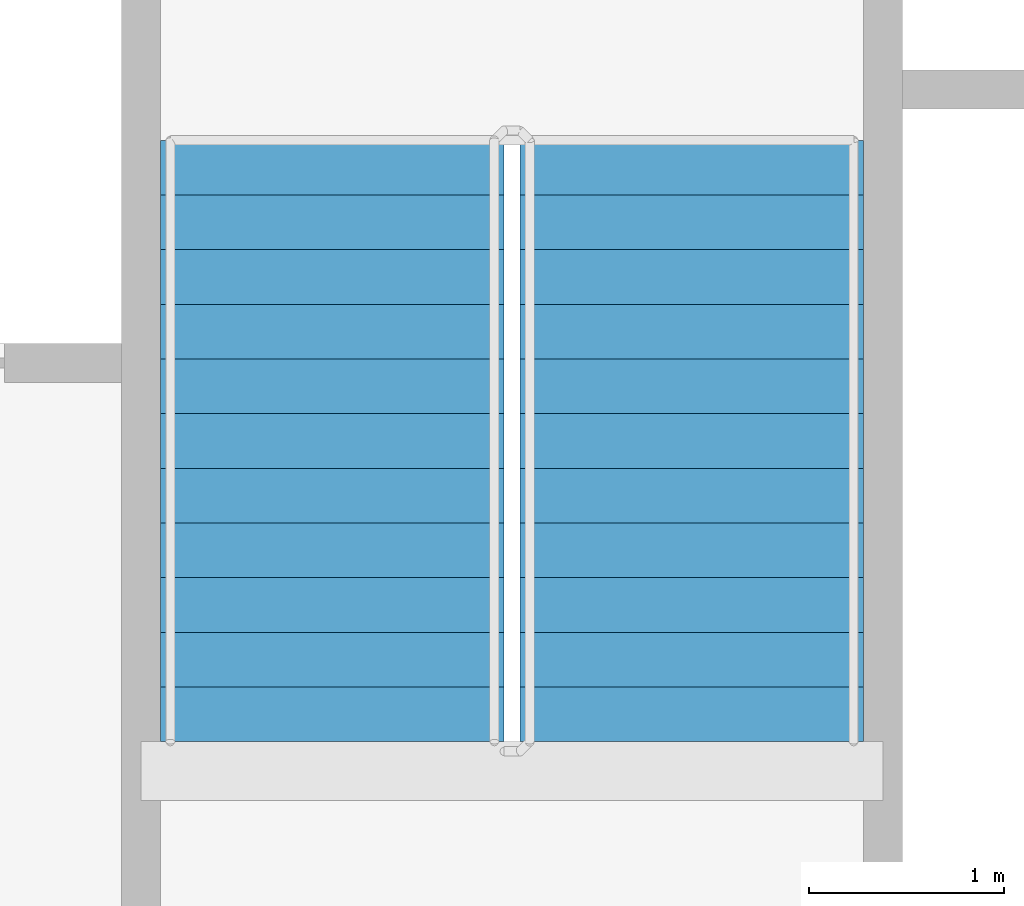
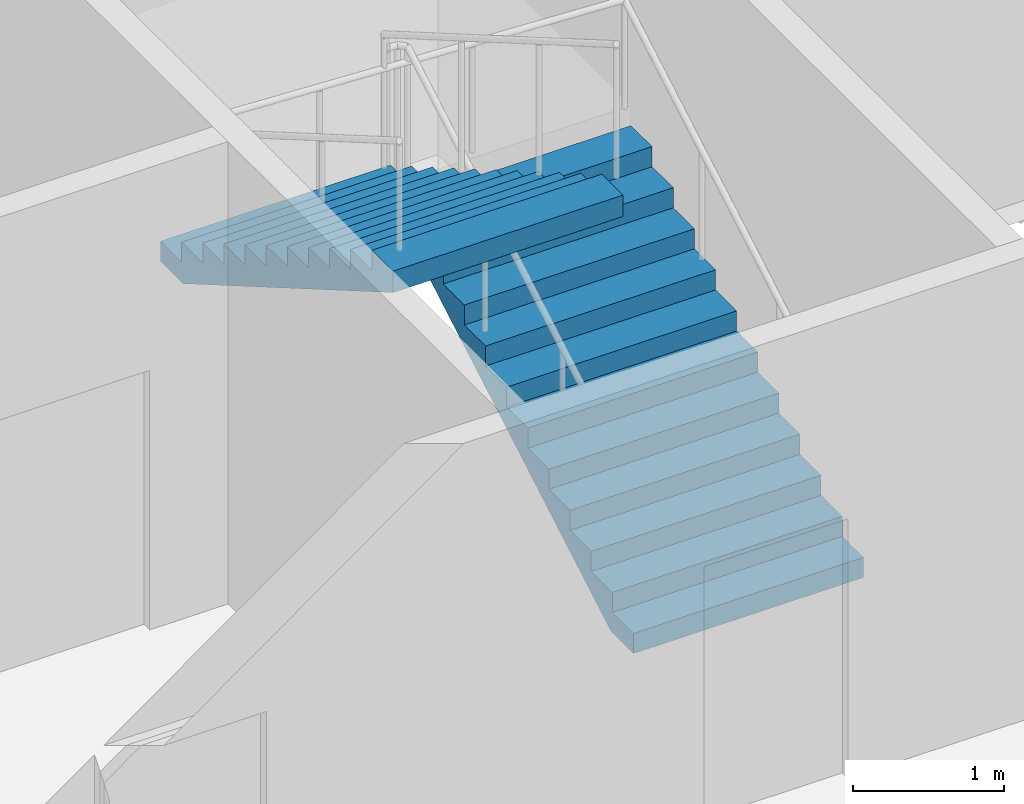
# One storey, part 15 of 20: 2 stair flights, 1 element without a shape of its own.
"""IFC4 building model written with IfcOpenShell, lengths in metres."""

from ifc_helpers import new_model, si_unit, direction, frame, origin, place, context, subcontext, project, spatial, faceted_brep, material, type_object, element, aggregate, save


model = new_model("IFC4")

# Units and contexts
model_context = context("Model", 3, precision=1e-05, world=origin(), true_north=direction((0.0, 1.0)))
body_context = subcontext(model_context, "Body", "Model", "MODEL_VIEW")
ifc_project = project(units=[si_unit("LENGTHUNIT", "METRE"), si_unit("AREAUNIT", "SQUARE_METRE"), si_unit("VOLUMEUNIT", "CUBIC_METRE"), si_unit("PLANEANGLEUNIT", "RADIAN"), si_unit("MASSUNIT", "GRAM", prefix="KILO")], contexts=[model_context])

# Site, building, storey
site_placement = place(None, origin())
site = spatial("IfcSite", under=ifc_project, at=site_placement, CompositionType="ELEMENT")
building_placement = place(site_placement, origin())
building = spatial("IfcBuilding", under=site, at=building_placement, Name="Tarsis Ring Headquarters", CompositionType="ELEMENT")
storey_placement = place(building_placement, frame((0.0, 0.0, 315.800048828125)))
storey = spatial("IfcBuildingStorey", under=building, at=storey_placement, Name="L74", CompositionType="ELEMENT", Elevation=315.800048828125)

# Stair, stair flights
ifc_material_1 = material(Name="Core stair 1760")
stair_type = type_object("IfcStairType", Name="Core stair 1760", PredefinedType="HALF_TURN_STAIR", material=ifc_material_1)
stair_placement = place(storey_placement, origin())
stair = element("IfcStair", 1, at=stair_placement, inside=storey, type_object=stair_type, Name="L74 Exit stair B", PredefinedType="HALF_TURN_STAIR")
ifc_material_2 = material(Name="Concrete C40/50", Category="concrete")
stair_flight_type = type_object("IfcStairFlightType", Name="Core stair flight 1760", PredefinedType="STRAIGHT", material=ifc_material_2)
stair_flight_1_placement = place(storey_placement, frame((5.419921875, 3.659912109375, 0.0), z_axis=(0.0, 0.0, 1.0), x_axis=(0.0, 1.0, 0.0)))
stair_flight_1 = element("IfcStairFlight", 2, at=stair_flight_1_placement, type_object=stair_flight_type, Name="Stair ST2 flight 1", NumberOfRisers=12, NumberOfTreads=11, PredefinedType="STRAIGHT", RiserHeight=0.1625, TreadLength=0.28, context=body_context, shape_type="Brep", body=[
    faceted_brep([(0.0, 0.8798828125, 0.0), (0.0, 0.8798828125, 0.16259765625), (0.280029296875, 0.8798828125, 0.16259765625), (0.280029296875, 0.8798828125, 0.324951171875), (0.56005859375, 0.8798828125, 0.324951171875), (0.56005859375, 0.8798828125, 0.487548828125), (0.840087890625, 0.8798828125, 0.487548828125), (0.840087890625, 0.8798828125, 0.64990234375), (1.1201171875, 0.8798828125, 0.64990234375), (1.1201171875, 0.8798828125, 0.8125), (1.39990234375, 0.8798828125, 0.8125), (1.39990234375, 0.8798828125, 0.97509765625), (1.679931640625, 0.8798828125, 0.97509765625), (1.679931640625, 0.8798828125, 1.137451171875), (1.9599609375, 0.8798828125, 1.137451171875), (1.9599609375, 0.8798828125, 1.300048828125), (2.239990234375, 0.8798828125, 1.300048828125), (2.239990234375, 0.8798828125, 1.46240234375), (2.52001953125, 0.8798828125, 1.46240234375), (2.52001953125, 0.8798828125, 1.625), (2.800048828125, 0.8798828125, 1.625), (2.800048828125, 0.8798828125, 1.78759765625), (3.080078125, 0.8798828125, 1.78759765625), (3.080078125, 0.8798828125, 1.6142578125), (0.298583984375, 0.8798828125, 0.0), (0.298583984375, -0.8798828125, 0.0), (3.080078125, -0.8798828125, 1.6142578125), (3.080078125, -0.8798828125, 1.78759765625), (2.800048828125, -0.8798828125, 1.78759765625), (2.800048828125, -0.8798828125, 1.625), (2.52001953125, -0.8798828125, 1.625), (2.52001953125, -0.8798828125, 1.46240234375), (2.239990234375, -0.8798828125, 1.46240234375), (2.239990234375, -0.8798828125, 1.300048828125), (1.9599609375, -0.8798828125, 1.300048828125), (1.9599609375, -0.8798828125, 1.137451171875), (1.679931640625, -0.8798828125, 1.137451171875), (1.679931640625, -0.8798828125, 0.97509765625), (1.39990234375, -0.8798828125, 0.97509765625), (1.39990234375, -0.8798828125, 0.8125), (1.1201171875, -0.8798828125, 0.8125), (1.1201171875, -0.8798828125, 0.64990234375), (0.840087890625, -0.8798828125, 0.64990234375), (0.840087890625, -0.8798828125, 0.487548828125), (0.56005859375, -0.8798828125, 0.487548828125), (0.56005859375, -0.8798828125, 0.324951171875), (0.280029296875, -0.8798828125, 0.324951171875), (0.280029296875, -0.8798828125, 0.16259765625), (0.0, -0.8798828125, 0.16259765625), (0.0, -0.8798828125, 0.0), (0.0, -0.43994140625, 0.16259765625), (0.0, -0.43994140625, 0.0), (0.0, 0.0, 0.16259765625), (0.0, 0.0, 0.0), (0.0, 0.43994140625, 0.16259765625), (0.0, 0.43994140625, 0.0), (0.280029296875, -0.43994140625, 0.16259765625), (0.280029296875, 0.0, 0.16259765625), (0.280029296875, 0.43994140625, 0.16259765625), (0.280029296875, -0.43994140625, 0.324951171875), (0.280029296875, 0.0, 0.324951171875), (0.280029296875, 0.43994140625, 0.324951171875), (0.56005859375, -0.43994140625, 0.324951171875), (0.56005859375, 0.0, 0.324951171875), (0.56005859375, 0.43994140625, 0.324951171875), (0.56005859375, -0.43994140625, 0.487548828125), (0.56005859375, 0.0, 0.487548828125), (0.56005859375, 0.43994140625, 0.487548828125), (0.840087890625, -0.43994140625, 0.487548828125), (0.840087890625, 0.0, 0.487548828125), (0.840087890625, 0.43994140625, 0.487548828125), (0.840087890625, -0.43994140625, 0.64990234375), (0.840087890625, 0.0, 0.64990234375), (0.840087890625, 0.43994140625, 0.64990234375), (1.1201171875, -0.43994140625, 0.64990234375), (1.1201171875, 0.0, 0.64990234375), (1.1201171875, 0.43994140625, 0.64990234375), (1.1201171875, -0.43994140625, 0.8125), (1.1201171875, 0.0, 0.8125), (1.1201171875, 0.43994140625, 0.8125), (1.39990234375, -0.43994140625, 0.8125), (1.39990234375, 0.0, 0.8125), (1.39990234375, 0.43994140625, 0.8125), (1.39990234375, -0.43994140625, 0.97509765625), (1.39990234375, 0.0, 0.97509765625), (1.39990234375, 0.43994140625, 0.97509765625), (1.679931640625, -0.43994140625, 0.97509765625), (1.679931640625, 0.0, 0.97509765625), (1.679931640625, 0.43994140625, 0.97509765625), (1.679931640625, -0.43994140625, 1.137451171875), (1.679931640625, 0.0, 1.137451171875), (1.679931640625, 0.43994140625, 1.137451171875), (1.9599609375, -0.43994140625, 1.137451171875), (1.9599609375, 0.0, 1.137451171875), (1.9599609375, 0.43994140625, 1.137451171875), (1.9599609375, -0.43994140625, 1.300048828125), (1.9599609375, 0.0, 1.300048828125), (1.9599609375, 0.43994140625, 1.300048828125), (2.239990234375, -0.43994140625, 1.300048828125), (2.239990234375, 0.0, 1.300048828125), (2.239990234375, 0.43994140625, 1.300048828125), (2.239990234375, -0.43994140625, 1.46240234375), (2.239990234375, 0.0, 1.46240234375), (2.239990234375, 0.43994140625, 1.46240234375), (2.52001953125, -0.43994140625, 1.46240234375), (2.52001953125, 0.0, 1.46240234375), (2.52001953125, 0.43994140625, 1.46240234375), (2.52001953125, -0.43994140625, 1.625), (2.52001953125, 0.0, 1.625), (2.52001953125, 0.43994140625, 1.625), (2.800048828125, -0.43994140625, 1.625), (2.800048828125, 0.0, 1.625), (2.800048828125, 0.43994140625, 1.625), (2.800048828125, -0.43994140625, 1.78759765625), (2.800048828125, 0.0, 1.78759765625), (2.800048828125, 0.43994140625, 1.78759765625), (3.080078125, -0.43994140625, 1.78759765625), (3.080078125, 0.0, 1.78759765625), (3.080078125, 0.43994140625, 1.78759765625), (3.080078125, -0.43994140625, 1.6142578125), (3.080078125, 0.0, 1.6142578125), (3.080078125, 0.43994140625, 1.6142578125), (0.298583984375, -0.43994140625, 0.0), (0.298583984375, 0.0, 0.0), (0.298583984375, 0.43994140625, 0.0)], [[[0, 1, 2, 3, 4, 5, 6, 7, 8, 9, 10, 11, 12, 13, 14, 15, 16, 17, 18, 19, 20, 21, 22, 23, 24]], [[25, 26, 27, 28, 29, 30, 31, 32, 33, 34, 35, 36, 37, 38, 39, 40, 41, 42, 43, 44, 45, 46, 47, 48, 49]], [[49, 48, 50, 51]], [[51, 50, 52, 53]], [[53, 52, 54, 55]], [[55, 54, 1, 0]], [[48, 47, 56, 50]], [[50, 56, 57, 52]], [[52, 57, 58, 54]], [[54, 58, 2, 1]], [[47, 46, 59, 56]], [[56, 59, 60, 57]], [[57, 60, 61, 58]], [[58, 61, 3, 2]], [[46, 45, 62, 59]], [[59, 62, 63, 60]], [[60, 63, 64, 61]], [[61, 64, 4, 3]], [[45, 44, 65, 62]], [[62, 65, 66, 63]], [[63, 66, 67, 64]], [[64, 67, 5, 4]], [[44, 43, 68, 65]], [[65, 68, 69, 66]], [[66, 69, 70, 67]], [[67, 70, 6, 5]], [[43, 42, 71, 68]], [[68, 71, 72, 69]], [[69, 72, 73, 70]], [[70, 73, 7, 6]], [[42, 41, 74, 71]], [[71, 74, 75, 72]], [[72, 75, 76, 73]], [[73, 76, 8, 7]], [[41, 40, 77, 74]], [[74, 77, 78, 75]], [[75, 78, 79, 76]], [[76, 79, 9, 8]], [[40, 39, 80, 77]], [[77, 80, 81, 78]], [[78, 81, 82, 79]], [[79, 82, 10, 9]], [[39, 38, 83, 80]], [[80, 83, 84, 81]], [[81, 84, 85, 82]], [[82, 85, 11, 10]], [[38, 37, 86, 83]], [[83, 86, 87, 84]], [[84, 87, 88, 85]], [[85, 88, 12, 11]], [[37, 36, 89, 86]], [[86, 89, 90, 87]], [[87, 90, 91, 88]], [[88, 91, 13, 12]], [[36, 35, 92, 89]], [[89, 92, 93, 90]], [[90, 93, 94, 91]], [[91, 94, 14, 13]], [[35, 34, 95, 92]], [[92, 95, 96, 93]], [[93, 96, 97, 94]], [[94, 97, 15, 14]], [[34, 33, 98, 95]], [[95, 98, 99, 96]], [[96, 99, 100, 97]], [[97, 100, 16, 15]], [[33, 32, 101, 98]], [[98, 101, 102, 99]], [[99, 102, 103, 100]], [[100, 103, 17, 16]], [[32, 31, 104, 101]], [[101, 104, 105, 102]], [[102, 105, 106, 103]], [[103, 106, 18, 17]], [[31, 30, 107, 104]], [[104, 107, 108, 105]], [[105, 108, 109, 106]], [[106, 109, 19, 18]], [[30, 29, 110, 107]], [[107, 110, 111, 108]], [[108, 111, 112, 109]], [[109, 112, 20, 19]], [[29, 28, 113, 110]], [[110, 113, 114, 111]], [[111, 114, 115, 112]], [[112, 115, 21, 20]], [[28, 27, 116, 113]], [[113, 116, 117, 114]], [[114, 117, 118, 115]], [[115, 118, 22, 21]], [[27, 26, 119, 116]], [[116, 119, 120, 117]], [[117, 120, 121, 118]], [[118, 121, 23, 22]], [[26, 25, 122, 119]], [[119, 122, 123, 120]], [[120, 123, 124, 121]], [[121, 124, 24, 23]], [[25, 49, 51, 122]], [[122, 51, 53, 123]], [[123, 53, 55, 124]], [[124, 55, 0, 24]]]),
])
stair_flight_2_placement = place(storey_placement, frame((3.580078125, 6.739990234375, 1.949951171875), z_axis=(0.0, 0.0, 1.0), x_axis=(0.0, -1.0, 0.0)))
stair_flight_2 = element("IfcStairFlight", 3, at=stair_flight_2_placement, type_object=stair_flight_type, Name="Stair ST2 flight 2", NumberOfRisers=12, NumberOfTreads=11, PredefinedType="STRAIGHT", RiserHeight=0.1625, TreadLength=0.28, context=body_context, shape_type="Brep", body=[
    faceted_brep([(0.0, 0.8798828125, 0.0), (0.0, 0.8798828125, 0.16259765625), (0.280029296875, 0.8798828125, 0.16259765625), (0.280029296875, 0.8798828125, 0.324951171875), (0.56005859375, 0.8798828125, 0.324951171875), (0.56005859375, 0.8798828125, 0.487548828125), (0.840087890625, 0.8798828125, 0.487548828125), (0.840087890625, 0.8798828125, 0.64990234375), (1.1201171875, 0.8798828125, 0.64990234375), (1.1201171875, 0.8798828125, 0.8125), (1.39990234375, 0.8798828125, 0.8125), (1.39990234375, 0.8798828125, 0.97509765625), (1.679931640625, 0.8798828125, 0.97509765625), (1.679931640625, 0.8798828125, 1.137451171875), (1.9599609375, 0.8798828125, 1.137451171875), (1.9599609375, 0.8798828125, 1.300048828125), (2.239990234375, 0.8798828125, 1.300048828125), (2.239990234375, 0.8798828125, 1.46240234375), (2.52001953125, 0.8798828125, 1.46240234375), (2.52001953125, 0.8798828125, 1.625), (2.800048828125, 0.8798828125, 1.625), (2.800048828125, 0.8798828125, 1.78759765625), (3.080078125, 0.8798828125, 1.78759765625), (3.080078125, 0.8798828125, 1.6142578125), (0.298583984375, 0.8798828125, 0.0), (0.298583984375, -0.8798828125, 0.0), (3.080078125, -0.8798828125, 1.6142578125), (3.080078125, -0.8798828125, 1.78759765625), (2.800048828125, -0.8798828125, 1.78759765625), (2.800048828125, -0.8798828125, 1.625), (2.52001953125, -0.8798828125, 1.625), (2.52001953125, -0.8798828125, 1.46240234375), (2.239990234375, -0.8798828125, 1.46240234375), (2.239990234375, -0.8798828125, 1.300048828125), (1.9599609375, -0.8798828125, 1.300048828125), (1.9599609375, -0.8798828125, 1.137451171875), (1.679931640625, -0.8798828125, 1.137451171875), (1.679931640625, -0.8798828125, 0.97509765625), (1.39990234375, -0.8798828125, 0.97509765625), (1.39990234375, -0.8798828125, 0.8125), (1.1201171875, -0.8798828125, 0.8125), (1.1201171875, -0.8798828125, 0.64990234375), (0.840087890625, -0.8798828125, 0.64990234375), (0.840087890625, -0.8798828125, 0.487548828125), (0.56005859375, -0.8798828125, 0.487548828125), (0.56005859375, -0.8798828125, 0.324951171875), (0.280029296875, -0.8798828125, 0.324951171875), (0.280029296875, -0.8798828125, 0.16259765625), (0.0, -0.8798828125, 0.16259765625), (0.0, -0.8798828125, 0.0), (0.0, -0.43994140625, 0.16259765625), (0.0, -0.43994140625, 0.0), (0.0, 0.0, 0.16259765625), (0.0, 0.0, 0.0), (0.0, 0.43994140625, 0.16259765625), (0.0, 0.43994140625, 0.0), (0.280029296875, -0.43994140625, 0.16259765625), (0.280029296875, 0.0, 0.16259765625), (0.280029296875, 0.43994140625, 0.16259765625), (0.280029296875, -0.43994140625, 0.324951171875), (0.280029296875, 0.0, 0.324951171875), (0.280029296875, 0.43994140625, 0.324951171875), (0.56005859375, -0.43994140625, 0.324951171875), (0.56005859375, 0.0, 0.324951171875), (0.56005859375, 0.43994140625, 0.324951171875), (0.56005859375, -0.43994140625, 0.487548828125), (0.56005859375, 0.0, 0.487548828125), (0.56005859375, 0.43994140625, 0.487548828125), (0.840087890625, -0.43994140625, 0.487548828125), (0.840087890625, 0.0, 0.487548828125), (0.840087890625, 0.43994140625, 0.487548828125), (0.840087890625, -0.43994140625, 0.64990234375), (0.840087890625, 0.0, 0.64990234375), (0.840087890625, 0.43994140625, 0.64990234375), (1.1201171875, -0.43994140625, 0.64990234375), (1.1201171875, 0.0, 0.64990234375), (1.1201171875, 0.43994140625, 0.64990234375), (1.1201171875, -0.43994140625, 0.8125), (1.1201171875, 0.0, 0.8125), (1.1201171875, 0.43994140625, 0.8125), (1.39990234375, -0.43994140625, 0.8125), (1.39990234375, 0.0, 0.8125), (1.39990234375, 0.43994140625, 0.8125), (1.39990234375, -0.43994140625, 0.97509765625), (1.39990234375, 0.0, 0.97509765625), (1.39990234375, 0.43994140625, 0.97509765625), (1.679931640625, -0.43994140625, 0.97509765625), (1.679931640625, 0.0, 0.97509765625), (1.679931640625, 0.43994140625, 0.97509765625), (1.679931640625, -0.43994140625, 1.137451171875), (1.679931640625, 0.0, 1.137451171875), (1.679931640625, 0.43994140625, 1.137451171875), (1.9599609375, -0.43994140625, 1.137451171875), (1.9599609375, 0.0, 1.137451171875), (1.9599609375, 0.43994140625, 1.137451171875), (1.9599609375, -0.43994140625, 1.300048828125), (1.9599609375, 0.0, 1.300048828125), (1.9599609375, 0.43994140625, 1.300048828125), (2.239990234375, -0.43994140625, 1.300048828125), (2.239990234375, 0.0, 1.300048828125), (2.239990234375, 0.43994140625, 1.300048828125), (2.239990234375, -0.43994140625, 1.46240234375), (2.239990234375, 0.0, 1.46240234375), (2.239990234375, 0.43994140625, 1.46240234375), (2.52001953125, -0.43994140625, 1.46240234375), (2.52001953125, 0.0, 1.46240234375), (2.52001953125, 0.43994140625, 1.46240234375), (2.52001953125, -0.43994140625, 1.625), (2.52001953125, 0.0, 1.625), (2.52001953125, 0.43994140625, 1.625), (2.800048828125, -0.43994140625, 1.625), (2.800048828125, 0.0, 1.625), (2.800048828125, 0.43994140625, 1.625), (2.800048828125, -0.43994140625, 1.78759765625), (2.800048828125, 0.0, 1.78759765625), (2.800048828125, 0.43994140625, 1.78759765625), (3.080078125, -0.43994140625, 1.78759765625), (3.080078125, 0.0, 1.78759765625), (3.080078125, 0.43994140625, 1.78759765625), (3.080078125, -0.43994140625, 1.6142578125), (3.080078125, 0.0, 1.6142578125), (3.080078125, 0.43994140625, 1.6142578125), (0.298583984375, -0.43994140625, 0.0), (0.298583984375, 0.0, 0.0), (0.298583984375, 0.43994140625, 0.0)], [[[0, 1, 2, 3, 4, 5, 6, 7, 8, 9, 10, 11, 12, 13, 14, 15, 16, 17, 18, 19, 20, 21, 22, 23, 24]], [[25, 26, 27, 28, 29, 30, 31, 32, 33, 34, 35, 36, 37, 38, 39, 40, 41, 42, 43, 44, 45, 46, 47, 48, 49]], [[49, 48, 50, 51]], [[51, 50, 52, 53]], [[53, 52, 54, 55]], [[55, 54, 1, 0]], [[48, 47, 56, 50]], [[50, 56, 57, 52]], [[52, 57, 58, 54]], [[54, 58, 2, 1]], [[47, 46, 59, 56]], [[56, 59, 60, 57]], [[57, 60, 61, 58]], [[58, 61, 3, 2]], [[46, 45, 62, 59]], [[59, 62, 63, 60]], [[60, 63, 64, 61]], [[61, 64, 4, 3]], [[45, 44, 65, 62]], [[62, 65, 66, 63]], [[63, 66, 67, 64]], [[64, 67, 5, 4]], [[44, 43, 68, 65]], [[65, 68, 69, 66]], [[66, 69, 70, 67]], [[67, 70, 6, 5]], [[43, 42, 71, 68]], [[68, 71, 72, 69]], [[69, 72, 73, 70]], [[70, 73, 7, 6]], [[42, 41, 74, 71]], [[71, 74, 75, 72]], [[72, 75, 76, 73]], [[73, 76, 8, 7]], [[41, 40, 77, 74]], [[74, 77, 78, 75]], [[75, 78, 79, 76]], [[76, 79, 9, 8]], [[40, 39, 80, 77]], [[77, 80, 81, 78]], [[78, 81, 82, 79]], [[79, 82, 10, 9]], [[39, 38, 83, 80]], [[80, 83, 84, 81]], [[81, 84, 85, 82]], [[82, 85, 11, 10]], [[38, 37, 86, 83]], [[83, 86, 87, 84]], [[84, 87, 88, 85]], [[85, 88, 12, 11]], [[37, 36, 89, 86]], [[86, 89, 90, 87]], [[87, 90, 91, 88]], [[88, 91, 13, 12]], [[36, 35, 92, 89]], [[89, 92, 93, 90]], [[90, 93, 94, 91]], [[91, 94, 14, 13]], [[35, 34, 95, 92]], [[92, 95, 96, 93]], [[93, 96, 97, 94]], [[94, 97, 15, 14]], [[34, 33, 98, 95]], [[95, 98, 99, 96]], [[96, 99, 100, 97]], [[97, 100, 16, 15]], [[33, 32, 101, 98]], [[98, 101, 102, 99]], [[99, 102, 103, 100]], [[100, 103, 17, 16]], [[32, 31, 104, 101]], [[101, 104, 105, 102]], [[102, 105, 106, 103]], [[103, 106, 18, 17]], [[31, 30, 107, 104]], [[104, 107, 108, 105]], [[105, 108, 109, 106]], [[106, 109, 19, 18]], [[30, 29, 110, 107]], [[107, 110, 111, 108]], [[108, 111, 112, 109]], [[109, 112, 20, 19]], [[29, 28, 113, 110]], [[110, 113, 114, 111]], [[111, 114, 115, 112]], [[112, 115, 21, 20]], [[28, 27, 116, 113]], [[113, 116, 117, 114]], [[114, 117, 118, 115]], [[115, 118, 22, 21]], [[27, 26, 119, 116]], [[116, 119, 120, 117]], [[117, 120, 121, 118]], [[118, 121, 23, 22]], [[26, 25, 122, 119]], [[119, 122, 123, 120]], [[120, 123, 124, 121]], [[121, 124, 24, 23]], [[25, 49, 51, 122]], [[122, 51, 53, 123]], [[123, 53, 55, 124]], [[124, 55, 0, 24]]]),
])
aggregate(stair, [stair_flight_1, stair_flight_2])

save(model, "model.ifc")
